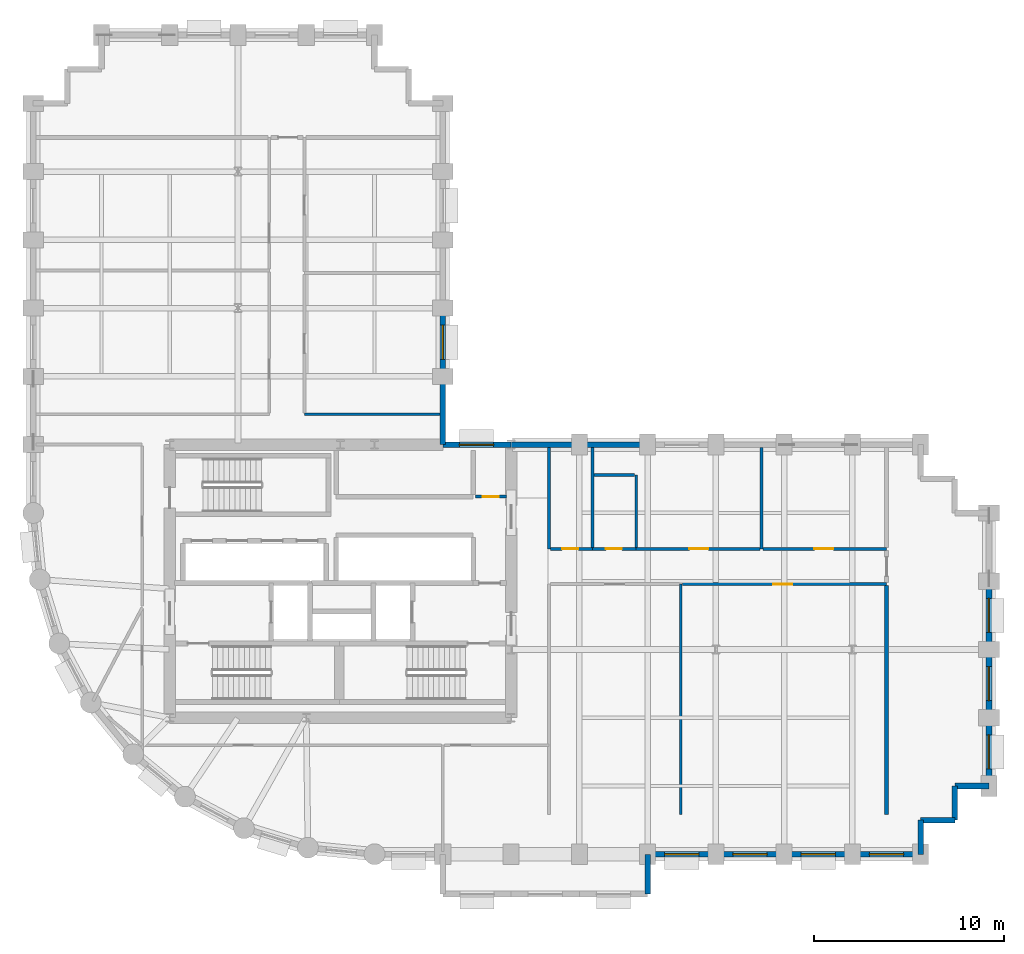
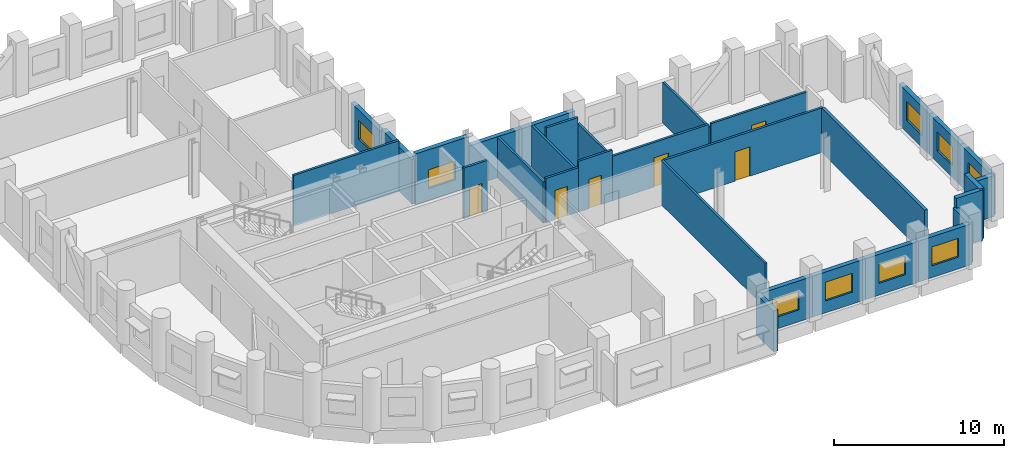
# One storey, part 5 of 10: 31 walls, 9 windows, 6 doors, 15 openings.
"""IFC4 building model written with IfcOpenShell, lengths in metres."""

import ifcopenshell
import ifcopenshell.guid

model = None  # the IFC model being written
_history = None  # IfcOwnerHistory: only IFC2X3 demands one
_inside = {}  # id of a spatial element -> (the spatial element, [elements in it])
_under = {}  # id of a project, library or spatial element -> (it, [spatial elements below it])
_declared = {}  # id of a project -> (the project, [libraries it declares])
_typed = {}  # id of a type object -> (the type object, [elements of that type])
_made_of = {}  # id of a material, layer set ... -> (it, [elements and type objects made of it])


def new_model(schema):
    """Start an empty IFC model of exactly this schema.

    Asked for "IFC4X3", IfcOpenShell would pick the latest addendum, in which some entities
    have other attributes; the version numbers below select the first issue.
    IFC2X3 requires an IfcOwnerHistory on every rooted entity: one is made here for all.
    """
    global model, _history
    if schema == "IFC4X3":
        model = ifcopenshell.file(schema_version=(4, 3, 0, 0))
    else:
        model = ifcopenshell.file(schema=schema)
    _inside.clear()
    _under.clear()
    _declared.clear()
    _typed.clear()
    _made_of.clear()
    _history = None
    if model.schema == "IFC2X3":
        org = make("IfcOrganization", Name="unknown")
        user = make(
            "IfcPersonAndOrganization",
            ThePerson=make("IfcPerson", FamilyName="unknown"),
            TheOrganization=org,
        )
        app = make(
            "IfcApplication",
            ApplicationDeveloper=org,
            Version="unknown",
            ApplicationFullName="unknown",
            ApplicationIdentifier="unknown",
        )
        _history = make(
            "IfcOwnerHistory",
            OwningUser=user,
            OwningApplication=app,
            ChangeAction="ADDED",
            CreationDate=0,
        )
    return model


def make(cls, **values):
    """One entity of the class cls with the attributes given. An attribute that is None is left unset."""
    return model.create_entity(
        cls, **{name: value for name, value in values.items() if value is not None}
    )


def rooted(cls, **values):
    """An entity with a GlobalId (a new one), such as an element, a storey or a relation."""
    return make(cls, GlobalId=ifcopenshell.guid.new(), OwnerHistory=_history, **values)


def si_unit(unit_type, name, prefix=None):
    """IfcSIUnit, for example si_unit("LENGTHUNIT", "METRE", prefix="MILLI")."""
    return make("IfcSIUnit", UnitType=unit_type, Prefix=prefix, Name=name)


def assignment(units):
    """IfcUnitAssignment: the units of a project."""
    return None if units is None else make("IfcUnitAssignment", Units=units)


def point(xyz):
    """IfcCartesianPoint."""
    return None if xyz is None else make("IfcCartesianPoint", Coordinates=xyz)


def direction(xyz):
    """IfcDirection."""
    return None if xyz is None else make("IfcDirection", DirectionRatios=xyz)


def frame(location, z_axis=None, x_axis=None):
    """IfcAxis2Placement3D, a coordinate frame: its origin and axes. An axis left out is left unset."""
    return make(
        "IfcAxis2Placement3D",
        Location=point(location),
        Axis=direction(z_axis),
        RefDirection=direction(x_axis),
    )


def frame_2d(location, x_axis=None):
    """IfcAxis2Placement2D, a coordinate frame in the plane: its origin and x axis."""
    return make(
        "IfcAxis2Placement2D", Location=point(location), RefDirection=direction(x_axis)
    )


def origin():
    """The frame at (0, 0, 0) with its axes left unset."""
    return frame((0.0, 0.0, 0.0))


def place(relative_to, where):
    """IfcLocalPlacement: puts the frame where relative to a parent placement (None: the world)."""
    return make(
        "IfcLocalPlacement", PlacementRelTo=relative_to, RelativePlacement=where
    )


def context(
    kind, dimensions, precision=None, world=None, true_north=None, identifier=None
):
    """IfcGeometricRepresentationContext, for example the 3D "Model" context."""
    return make(
        "IfcGeometricRepresentationContext",
        ContextIdentifier=identifier,
        ContextType=kind,
        CoordinateSpaceDimension=dimensions,
        Precision=precision,
        WorldCoordinateSystem=world,
        TrueNorth=true_north,
    )


def subcontext(parent, identifier, kind, view, scale=None):
    """IfcGeometricRepresentationSubContext, for example "Body" below "Model"."""
    return make(
        "IfcGeometricRepresentationSubContext",
        ContextIdentifier=identifier,
        ContextType=kind,
        ParentContext=parent,
        TargetScale=scale,
        TargetView=view,
    )


def project(units=None, contexts=None):
    """IfcProject with its units and contexts."""
    return rooted(
        "IfcProject",
        Name="project",
        RepresentationContexts=contexts,
        UnitsInContext=assignment(units),
    )


def spatial(cls, under=None, at=None, **own):
    """A site, building, storey or space (cls), placed at a placement, below another one or the project."""
    s = rooted(cls, ObjectPlacement=at, **own)
    if under is not None:
        _under.setdefault(under.id(), (under, []))[1].append(s)
    return s


def profile(cls, at=None, kind="AREA", **sizes):
    """A parametric profile (cls). Its sizes go by their IFC names, for example OverallWidth=200.0."""
    return make(cls, ProfileType=kind, Position=at, **sizes)


def rectangle(**sizes):
    """IfcRectangleProfileDef."""
    return profile("IfcRectangleProfileDef", **sizes)


def extrude(swept, where, along, depth):
    """IfcExtrudedAreaSolid: the profile swept, set in the frame where, extruded along a direction by depth."""
    return make(
        "IfcExtrudedAreaSolid",
        SweptArea=swept,
        Position=where,
        ExtrudedDirection=direction(along),
        Depth=depth,
    )


def shape(context_of_items, identifier, shape_type, items):
    """IfcShapeRepresentation: the items that make up one representation, for example the "Body"."""
    return make(
        "IfcShapeRepresentation",
        ContextOfItems=context_of_items,
        RepresentationIdentifier=identifier,
        RepresentationType=shape_type,
        Items=items,
    )


def material(Name=None, Category=None):
    """IfcMaterial."""
    return make("IfcMaterial", Name=Name, Category=Category)


def layer(
    of_material, thickness, ventilated=None, Name=None, Category=None, Priority=None
):
    """IfcMaterialLayer: one layer of a wall or slab, of a material (None: an air gap)."""
    return make(
        "IfcMaterialLayer",
        Material=of_material,
        LayerThickness=thickness,
        IsVentilated=ventilated,
        Name=Name,
        Category=Category,
        Priority=Priority,
    )


def layer_set(layers, Name=None):
    """IfcMaterialLayerSet."""
    return make("IfcMaterialLayerSet", MaterialLayers=layers, LayerSetName=Name)


def made_of(thing, what):
    """Note that an element or type object is made of a material, layer set ...; save() writes the relation."""
    if what is not None:
        _made_of.setdefault(what.id(), (what, []))[1].append(thing)
    return thing


def type_object(cls, material=None, **own):
    """A type object (cls), such as IfcWallType, which elements share."""
    return made_of(rooted(cls, **own), material)


def element(
    cls,
    number,
    at=None,
    inside=None,
    cuts=None,
    type_object=None,
    material=None,
    context=None,
    identifier="Body",
    shape_type=None,
    held_by="IfcProductDefinitionShape",
    body=None,
    shapes=None,
    **own,
):
    """One element of the class cls, such as IfcWall. Its Tag is "e" and its number.

    at: its placement. inside: the storey or other place that contains it. cuts: it is an
    opening in that element (IfcRelVoidsElement). A single representation is given by context,
    identifier, shape_type and body (its items); several are given by shapes. held_by: the class
    of the entity that holds the representations. save() writes the other relations.
    """
    e = rooted(cls, Tag="e%d" % number, ObjectPlacement=at, **own)
    if body is not None:
        shapes = [shape(context, identifier, shape_type, body)]
    if shapes is not None:
        e.Representation = make(held_by, Representations=shapes)
    if inside is not None:
        _inside.setdefault(inside.id(), (inside, []))[1].append(e)
    if cuts is not None:
        rooted(
            "IfcRelVoidsElement", RelatingBuildingElement=cuts, RelatedOpeningElement=e
        )
    if type_object is not None:
        _typed.setdefault(type_object.id(), (type_object, []))[1].append(e)
    return made_of(e, material)


def fill(opening, filler):
    """IfcRelFillsElement: the door or window that sits in an opening."""
    return rooted(
        "IfcRelFillsElement",
        RelatingOpeningElement=opening,
        RelatedBuildingElement=filler,
    )


def aggregate(whole, parts):
    """IfcRelAggregates: a whole, such as a stair, and the parts it consists of."""
    return rooted("IfcRelAggregates", RelatingObject=whole, RelatedObjects=parts)


def save(model, path):
    """Write the relations noted so far, then the file.

    IfcRelAggregates (storeys below a building ...), IfcRelContainedInSpatialStructure (elements
    in a storey), IfcRelDefinesByType, IfcRelAssociatesMaterial and IfcRelDeclares: one each for
    every whole, place, type object, material and project.
    """
    for whole, parts in _under.values():
        aggregate(whole, parts)
    for where, things in _inside.values():
        rooted(
            "IfcRelContainedInSpatialStructure",
            RelatedElements=things,
            RelatingStructure=where,
        )
    for kind, things in _typed.values():
        rooted("IfcRelDefinesByType", RelatedObjects=things, RelatingType=kind)
    for what, things in _made_of.values():
        rooted("IfcRelAssociatesMaterial", RelatedObjects=things, RelatingMaterial=what)
    for by, libraries in _declared.values():
        rooted("IfcRelDeclares", RelatingContext=by, RelatedDefinitions=libraries)
    model.write(path)


model = new_model("IFC4")

# Units and contexts
model_context = context("Model", 3, precision=1e-05, world=origin(), true_north=direction((0.0, 1.0)))
body_context = subcontext(model_context, "Body", "Model", "MODEL_VIEW")
ifc_project = project(units=[si_unit("LENGTHUNIT", "METRE"), si_unit("AREAUNIT", "SQUARE_METRE"), si_unit("VOLUMEUNIT", "CUBIC_METRE"), si_unit("PLANEANGLEUNIT", "RADIAN"), si_unit("MASSUNIT", "GRAM", prefix="KILO")], contexts=[model_context])

# Site, building, storey
site_placement = place(None, origin())
site = spatial("IfcSite", under=ifc_project, at=site_placement, CompositionType="ELEMENT")
building_placement = place(site_placement, origin())
building = spatial("IfcBuilding", under=site, at=building_placement, Name="Solnavia Interchange Tower", CompositionType="ELEMENT")
storey_placement = place(building_placement, frame((0.0, 0.0, 95.699951171875)))
storey = spatial("IfcBuildingStorey", under=building, at=storey_placement, Name="L23", CompositionType="ELEMENT", Elevation=95.699951171875)

# Walls
ifc_material_1 = material(Name="Gypsum Acoustic Twin-Stud & Mineral Wool", Category="gypsum")
ifc_layer_1 = layer(ifc_material_1, 0.199951171875)
ifc_layer_set_1 = layer_set([ifc_layer_1], Name="Gypsum Acoustic Twin-Stud & Mineral Wool")
wall_type_1 = type_object("IfcWallType", Name="Wall-ApartmentParty-200", PredefinedType="PARTITIONING", material=ifc_layer_set_1)
wall_1_placement = place(storey_placement, frame((52.199951171875, 5.699951171875, 0.0), z_axis=(0.0, 0.0, 1.0), x_axis=(0.0, 1.0, 0.0)))
element("IfcWall", 1, at=wall_1_placement, inside=storey, type_object=wall_type_1, Name="PTW-L23-22 Interior partition wall", PredefinedType="PARTITIONING", context=body_context, shape_type="SweptSolid", body=[
    extrude(rectangle(XDim=12.071044921875, YDim=0.199951171875, at=frame_2d((6.03564453125, 0.0))), origin(), (0.0, 0.0, 1.0), 3.179931640625),
])
ifc_material_2 = material(Name="Concrete C40/50", Category="concrete")
ifc_layer_2 = layer(ifc_material_2, 0.300048828125)
ifc_layer_set_2 = layer_set([ifc_layer_2], Name="Concrete C40/50")
wall_type_2 = type_object("IfcWallType", Name="Wall-ExtSpandrel-300", PredefinedType="STANDARD", material=ifc_layer_set_2)
wall_2_placement = place(storey_placement, frame((39.60009765625, 3.60009765625, 0.0), z_axis=(0.0, 0.0, 1.0), x_axis=(0.0, -1.0, 0.0)))
element("IfcWall", 2, at=wall_2_placement, inside=storey, type_object=wall_type_2, Name="EXW-L23-06 Exterior precast spandrel wall", PredefinedType="STANDARD", context=body_context, shape_type="SweptSolid", body=[
    extrude(rectangle(XDim=2.10009765625, YDim=0.300048828125, at=frame_2d((1.050048828125, 0.0))), origin(), (0.0, 0.0, 1.0), 2.929931640625),
])

# Wall, opening, window
wall_3_placement = place(storey_placement, frame((43.199951171875, 3.60009765625, 0.0), z_axis=(0.0, 0.0, 1.0), x_axis=(-1.0, 0.0, 0.0)))
wall_3 = element("IfcWall", 3, at=wall_3_placement, inside=storey, type_object=wall_type_2, Name="EXW-L23-07 Exterior precast spandrel wall", PredefinedType="STANDARD", context=body_context, shape_type="SweptSolid", body=[
    extrude(rectangle(XDim=3.599853515625, YDim=0.300048828125, at=frame_2d((1.7998046875, 0.0))), origin(), (0.0, 0.0, 1.0), 2.929931640625),
])
opening_1_placement = place(wall_3_placement, frame((0.89990234375, 0.0, 0.85009765625)))
opening_1 = element("IfcOpeningElement", 4, at=opening_1_placement, cuts=wall_3, Name="Opening WIN-02", PredefinedType="OPENING", context=body_context, shape_type="SweptSolid", body=[
    extrude(rectangle(XDim=1.800048828125, YDim=1.35009765625, at=frame_2d((0.89990234375, 0.675048828125))), frame((0.0, 0.16015625, 0.0), z_axis=(0.0, -1.0, 0.0), x_axis=(1.0, 0.0, 0.0)), (0.0, 0.0, 1.0), 0.320068359375),
])
ifc_material_3 = material(Name="Thermal-Break Aluminium & Low-E Glass", Category="aluminium")
window_type = type_object("IfcWindowType", Name="Window-Ribbon-1800x1350", PartitioningType="SINGLE_PANEL", PredefinedType="WINDOW", material=ifc_material_3)
window_1_placement = place(opening_1_placement, origin())
window_1 = element("IfcWindow", 5, at=window_1_placement, inside=storey, type_object=window_type, Name="WIN-L23-07 Facade ribbon window", OverallHeight=1.35009765625, OverallWidth=1.800048828125, PartitioningType="SINGLE_PANEL", PredefinedType="WINDOW", context=body_context, shape_type="SweptSolid", body=[
    extrude(rectangle(XDim=1.800048828125, YDim=1.35009765625, at=frame_2d((0.89990234375, 0.675048828125))), frame((0.0, 0.030029296875, 0.0), z_axis=(0.0, -1.0, 0.0), x_axis=(1.0, 0.0, 0.0)), (0.0, 0.0, 1.0), 0.06005859375),
])
fill(opening_1, window_1)

wall_4_placement = place(storey_placement, frame((46.800048828125, 3.60009765625, 0.0), z_axis=(0.0, 0.0, 1.0), x_axis=(-1.0, 0.0, 0.0)))
wall_4 = element("IfcWall", 6, at=wall_4_placement, inside=storey, type_object=wall_type_2, Name="EXW-L23-08 Exterior precast spandrel wall", PredefinedType="STANDARD", context=body_context, shape_type="SweptSolid", body=[
    extrude(rectangle(XDim=3.60009765625, YDim=0.300048828125, at=frame_2d((1.800048828125, 0.0))), origin(), (0.0, 0.0, 1.0), 2.929931640625),
])
opening_2_placement = place(wall_4_placement, frame((0.89990234375, 0.0, 0.85009765625)))
opening_2 = element("IfcOpeningElement", 7, at=opening_2_placement, cuts=wall_4, Name="Opening WIN-02", PredefinedType="OPENING", context=body_context, shape_type="SweptSolid", body=[
    extrude(rectangle(XDim=1.800048828125, YDim=1.35009765625, at=frame_2d((0.89990234375, 0.675048828125))), frame((0.0, 0.16015625, 0.0), z_axis=(0.0, -1.0, 0.0), x_axis=(1.0, 0.0, 0.0)), (0.0, 0.0, 1.0), 0.320068359375),
])
window_2_placement = place(opening_2_placement, origin())
window_2 = element("IfcWindow", 8, at=window_2_placement, inside=storey, type_object=window_type, Name="WIN-L23-08 Facade ribbon window", OverallHeight=1.35009765625, OverallWidth=1.800048828125, PartitioningType="SINGLE_PANEL", PredefinedType="WINDOW", context=body_context, shape_type="SweptSolid", body=[
    extrude(rectangle(XDim=1.800048828125, YDim=1.35009765625, at=frame_2d((0.89990234375, 0.675048828125))), frame((0.0, 0.030029296875, 0.0), z_axis=(0.0, -1.0, 0.0), x_axis=(1.0, 0.0, 0.0)), (0.0, 0.0, 1.0), 0.06005859375),
])
fill(opening_2, window_2)

wall_5_placement = place(storey_placement, frame((50.39990234375, 3.60009765625, 0.0), z_axis=(0.0, 0.0, 1.0), x_axis=(-1.0, 0.0, 0.0)))
wall_5 = element("IfcWall", 9, at=wall_5_placement, inside=storey, type_object=wall_type_2, Name="EXW-L23-09 Exterior precast spandrel wall", PredefinedType="STANDARD", context=body_context, shape_type="SweptSolid", body=[
    extrude(rectangle(XDim=3.599853515625, YDim=0.300048828125, at=frame_2d((1.7998046875, 0.0))), origin(), (0.0, 0.0, 1.0), 2.929931640625),
])
opening_3_placement = place(wall_5_placement, frame((0.89990234375, 0.0, 0.85009765625)))
opening_3 = element("IfcOpeningElement", 10, at=opening_3_placement, cuts=wall_5, Name="Opening WIN-02", PredefinedType="OPENING", context=body_context, shape_type="SweptSolid", body=[
    extrude(rectangle(XDim=1.800048828125, YDim=1.35009765625, at=frame_2d((0.89990234375, 0.675048828125))), frame((0.0, 0.16015625, 0.0), z_axis=(0.0, -1.0, 0.0), x_axis=(1.0, 0.0, 0.0)), (0.0, 0.0, 1.0), 0.320068359375),
])
window_3_placement = place(opening_3_placement, origin())
window_3 = element("IfcWindow", 11, at=window_3_placement, inside=storey, type_object=window_type, Name="WIN-L23-09 Facade ribbon window", OverallHeight=1.35009765625, OverallWidth=1.800048828125, PartitioningType="SINGLE_PANEL", PredefinedType="WINDOW", context=body_context, shape_type="SweptSolid", body=[
    extrude(rectangle(XDim=1.800048828125, YDim=1.35009765625, at=frame_2d((0.89990234375, 0.675048828125))), frame((0.0, 0.030029296875, 0.0), z_axis=(0.0, -1.0, 0.0), x_axis=(1.0, 0.0, 0.0)), (0.0, 0.0, 1.0), 0.06005859375),
])
fill(opening_3, window_3)

wall_6_placement = place(storey_placement, frame((54.0, 3.60009765625, 0.0), z_axis=(0.0, 0.0, 1.0), x_axis=(-1.0, 0.0, 0.0)))
wall_6 = element("IfcWall", 12, at=wall_6_placement, inside=storey, type_object=wall_type_2, Name="EXW-L23-10 Exterior precast spandrel wall", PredefinedType="STANDARD", context=body_context, shape_type="SweptSolid", body=[
    extrude(rectangle(XDim=3.60009765625, YDim=0.300048828125, at=frame_2d((1.800048828125, 0.0))), origin(), (0.0, 0.0, 1.0), 2.929931640625),
])
opening_4_placement = place(wall_6_placement, frame((0.89990234375, 0.0, 0.85009765625)))
opening_4 = element("IfcOpeningElement", 13, at=opening_4_placement, cuts=wall_6, Name="Opening WIN-02", PredefinedType="OPENING", context=body_context, shape_type="SweptSolid", body=[
    extrude(rectangle(XDim=1.800048828125, YDim=1.35009765625, at=frame_2d((0.89990234375, 0.675048828125))), frame((0.0, 0.16015625, 0.0), z_axis=(0.0, -1.0, 0.0), x_axis=(1.0, 0.0, 0.0)), (0.0, 0.0, 1.0), 0.320068359375),
])
window_4_placement = place(opening_4_placement, origin())
window_4 = element("IfcWindow", 14, at=window_4_placement, inside=storey, type_object=window_type, Name="WIN-L23-10 Facade ribbon window", OverallHeight=1.35009765625, OverallWidth=1.800048828125, PartitioningType="SINGLE_PANEL", PredefinedType="WINDOW", context=body_context, shape_type="SweptSolid", body=[
    extrude(rectangle(XDim=1.800048828125, YDim=1.35009765625, at=frame_2d((0.89990234375, 0.675048828125))), frame((0.0, 0.030029296875, 0.0), z_axis=(0.0, -1.0, 0.0), x_axis=(1.0, 0.0, 0.0)), (0.0, 0.0, 1.0), 0.06005859375),
])
fill(opening_4, window_4)

# Walls
wall_7_placement = place(storey_placement, frame((54.0, 5.39990234375, 0.0), z_axis=(0.0, 0.0, 1.0), x_axis=(0.0, -1.0, 0.0)))
element("IfcWall", 15, at=wall_7_placement, inside=storey, type_object=wall_type_2, Name="EXW-L23-11 Exterior precast spandrel wall", PredefinedType="STANDARD", context=body_context, shape_type="SweptSolid", body=[
    extrude(rectangle(XDim=1.7998046875, YDim=0.300048828125, at=frame_2d((0.89990234375, 0.0))), origin(), (0.0, 0.0, 1.0), 2.929931640625),
])
for number, where, z_axis, x_axis, name in (
    (16, (55.800048828125, 5.39990234375, 0.0), (0.0, 0.0, 1.0), (-1.0, 0.0, 0.0), "EXW-L23-12 Exterior precast spandrel wall"),
    (17, (55.800048828125, 7.199951171875, 0.0), (0.0, 0.0, 1.0), (0.0, -1.0, 0.0), "EXW-L23-13 Exterior precast spandrel wall"),
):
    element("IfcWall", number, at=place(storey_placement, frame(where, z_axis=z_axis, x_axis=x_axis)), inside=storey, type_object=wall_type_2, Name=name, PredefinedType="STANDARD", context=body_context, shape_type="SweptSolid", body=[
        extrude(rectangle(XDim=1.800048828125, YDim=0.300048828125, at=frame_2d((0.89990234375, 0.0))), origin(), (0.0, 0.0, 1.0), 3.635009765625),
    ])
wall_8_placement = place(storey_placement, frame((57.60009765625, 7.199951171875, 0.0), z_axis=(0.0, 0.0, 1.0), x_axis=(-1.0, 0.0, 0.0)))
element("IfcWall", 18, at=wall_8_placement, inside=storey, type_object=wall_type_2, Name="EXW-L23-14 Exterior precast spandrel wall", PredefinedType="STANDARD", context=body_context, shape_type="SweptSolid", body=[
    extrude(rectangle(XDim=1.800048828125, YDim=0.300048828125, at=frame_2d((0.89990234375, 0.0))), origin(), (0.0, 0.0, 1.0), 2.929931640625),
])

# Wall, opening, window
wall_9_placement = place(storey_placement, frame((57.60009765625, 10.800048828125, 0.0), z_axis=(0.0, 0.0, 1.0), x_axis=(0.0, -1.0, 0.0)))
wall_9 = element("IfcWall", 19, at=wall_9_placement, inside=storey, type_object=wall_type_2, Name="EXW-L23-15 Exterior precast spandrel wall", PredefinedType="STANDARD", context=body_context, shape_type="SweptSolid", body=[
    extrude(rectangle(XDim=3.60009765625, YDim=0.300048828125, at=frame_2d((1.800048828125, 0.0))), origin(), (0.0, 0.0, 1.0), 2.929931640625),
])
opening_5_placement = place(wall_9_placement, frame((0.89990234375, 0.0, 0.85009765625)))
opening_5 = element("IfcOpeningElement", 20, at=opening_5_placement, cuts=wall_9, Name="Opening WIN-02", PredefinedType="OPENING", context=body_context, shape_type="SweptSolid", body=[
    extrude(rectangle(XDim=1.800048828125, YDim=1.35009765625, at=frame_2d((0.89990234375, 0.675048828125))), frame((0.0, 0.16015625, 0.0), z_axis=(0.0, -1.0, 0.0), x_axis=(1.0, 0.0, 0.0)), (0.0, 0.0, 1.0), 0.320068359375),
])
window_5_placement = place(opening_5_placement, origin())
window_5 = element("IfcWindow", 21, at=window_5_placement, inside=storey, type_object=window_type, Name="WIN-L23-15 Facade ribbon window", OverallHeight=1.35009765625, OverallWidth=1.800048828125, PartitioningType="SINGLE_PANEL", PredefinedType="WINDOW", context=body_context, shape_type="SweptSolid", body=[
    extrude(rectangle(XDim=1.800048828125, YDim=1.35009765625, at=frame_2d((0.89990234375, 0.675048828125))), frame((0.0, 0.030029296875, 0.0), z_axis=(0.0, -1.0, 0.0), x_axis=(1.0, 0.0, 0.0)), (0.0, 0.0, 1.0), 0.06005859375),
])
fill(opening_5, window_5)

wall_10_placement = place(storey_placement, frame((57.60009765625, 14.39990234375, 0.0), z_axis=(0.0, 0.0, 1.0), x_axis=(0.0, -1.0, 0.0)))
wall_10 = element("IfcWall", 22, at=wall_10_placement, inside=storey, type_object=wall_type_2, Name="EXW-L23-16 Exterior precast spandrel wall", PredefinedType="STANDARD", context=body_context, shape_type="SweptSolid", body=[
    extrude(rectangle(XDim=3.599853515625, YDim=0.300048828125, at=frame_2d((1.7998046875, 0.0))), origin(), (0.0, 0.0, 1.0), 2.929931640625),
])
opening_6_placement = place(wall_10_placement, frame((0.89990234375, 0.0, 0.85009765625)))
opening_6 = element("IfcOpeningElement", 23, at=opening_6_placement, cuts=wall_10, Name="Opening WIN-02", PredefinedType="OPENING", context=body_context, shape_type="SweptSolid", body=[
    extrude(rectangle(XDim=1.800048828125, YDim=1.35009765625, at=frame_2d((0.89990234375, 0.675048828125))), frame((0.0, 0.16015625, 0.0), z_axis=(0.0, -1.0, 0.0), x_axis=(1.0, 0.0, 0.0)), (0.0, 0.0, 1.0), 0.320068359375),
])
window_6_placement = place(opening_6_placement, origin())
window_6 = element("IfcWindow", 24, at=window_6_placement, inside=storey, type_object=window_type, Name="WIN-L23-16 Facade ribbon window", OverallHeight=1.35009765625, OverallWidth=1.800048828125, PartitioningType="SINGLE_PANEL", PredefinedType="WINDOW", context=body_context, shape_type="SweptSolid", body=[
    extrude(rectangle(XDim=1.800048828125, YDim=1.35009765625, at=frame_2d((0.89990234375, 0.675048828125))), frame((0.0, 0.030029296875, 0.0), z_axis=(0.0, -1.0, 0.0), x_axis=(1.0, 0.0, 0.0)), (0.0, 0.0, 1.0), 0.06005859375),
])
fill(opening_6, window_6)

wall_11_placement = place(storey_placement, frame((57.60009765625, 18.0, 0.0), z_axis=(0.0, 0.0, 1.0), x_axis=(0.0, -1.0, 0.0)))
wall_11 = element("IfcWall", 25, at=wall_11_placement, inside=storey, type_object=wall_type_2, Name="EXW-L23-17 Exterior precast spandrel wall", PredefinedType="STANDARD", context=body_context, shape_type="SweptSolid", body=[
    extrude(rectangle(XDim=3.60009765625, YDim=0.300048828125, at=frame_2d((1.800048828125, 0.0))), origin(), (0.0, 0.0, 1.0), 2.929931640625),
])
opening_7_placement = place(wall_11_placement, frame((0.89990234375, 0.0, 0.85009765625)))
opening_7 = element("IfcOpeningElement", 26, at=opening_7_placement, cuts=wall_11, Name="Opening WIN-02", PredefinedType="OPENING", context=body_context, shape_type="SweptSolid", body=[
    extrude(rectangle(XDim=1.800048828125, YDim=1.35009765625, at=frame_2d((0.89990234375, 0.675048828125))), frame((0.0, 0.16015625, 0.0), z_axis=(0.0, -1.0, 0.0), x_axis=(1.0, 0.0, 0.0)), (0.0, 0.0, 1.0), 0.320068359375),
])
window_7_placement = place(opening_7_placement, origin())
window_7 = element("IfcWindow", 27, at=window_7_placement, inside=storey, type_object=window_type, Name="WIN-L23-17 Facade ribbon window", OverallHeight=1.35009765625, OverallWidth=1.800048828125, PartitioningType="SINGLE_PANEL", PredefinedType="WINDOW", context=body_context, shape_type="SweptSolid", body=[
    extrude(rectangle(XDim=1.800048828125, YDim=1.35009765625, at=frame_2d((0.89990234375, 0.675048828125))), frame((0.0, 0.030029296875, 0.0), z_axis=(0.0, -1.0, 0.0), x_axis=(1.0, 0.0, 0.0)), (0.0, 0.0, 1.0), 0.06005859375),
])
fill(opening_7, window_7)

# Walls
for number, where, z_axis, x_axis, name in (
    (28, (36.0, 25.199951171875, 0.0), (0.0, 0.0, 1.0), (1.0, 0.0, 0.0), "EXW-L23-27 Exterior precast spandrel wall"),
    (29, (32.39990234375, 25.199951171875, 0.0), (0.0, 0.0, 1.0), (1.0, 0.0, 0.0), "EXW-L23-28 Exterior precast spandrel wall"),
):
    element("IfcWall", number, at=place(storey_placement, frame(where, z_axis=z_axis, x_axis=x_axis)), inside=storey, type_object=wall_type_2, Name=name, PredefinedType="STANDARD", context=body_context, shape_type="SweptSolid", body=[
        extrude(rectangle(XDim=3.60009765625, YDim=0.300048828125, at=frame_2d((1.800048828125, 0.0))), origin(), (0.0, 0.0, 1.0), 2.929931640625),
    ])

# Wall, opening, window
wall_12_placement = place(storey_placement, frame((28.800048828125, 25.199951171875, 0.0), z_axis=(0.0, 0.0, 1.0), x_axis=(1.0, 0.0, 0.0)))
wall_12 = element("IfcWall", 30, at=wall_12_placement, inside=storey, type_object=wall_type_2, Name="EXW-L23-29 Exterior precast spandrel wall", PredefinedType="STANDARD", context=body_context, shape_type="SweptSolid", body=[
    extrude(rectangle(XDim=3.599853515625, YDim=0.300048828125, at=frame_2d((1.7998046875, 0.0))), origin(), (0.0, 0.0, 1.0), 3.635009765625),
])
opening_8_placement = place(wall_12_placement, frame((0.8779296875, 0.0, 0.85009765625)))
opening_8 = element("IfcOpeningElement", 31, at=opening_8_placement, cuts=wall_12, Name="Opening WIN-02", PredefinedType="OPENING", context=body_context, shape_type="SweptSolid", body=[
    extrude(rectangle(XDim=1.800048828125, YDim=1.35009765625, at=frame_2d((0.89990234375, 0.675048828125))), frame((0.0, 0.16015625, 0.0), z_axis=(0.0, -1.0, 0.0), x_axis=(1.0, 0.0, 0.0)), (0.0, 0.0, 1.0), 0.320068359375),
])
window_8_placement = place(opening_8_placement, origin())
window_8 = element("IfcWindow", 32, at=window_8_placement, inside=storey, type_object=window_type, Name="WIN-L23-29 Facade ribbon window", OverallHeight=1.35009765625, OverallWidth=1.800048828125, PartitioningType="SINGLE_PANEL", PredefinedType="WINDOW", context=body_context, shape_type="SweptSolid", body=[
    extrude(rectangle(XDim=1.800048828125, YDim=1.35009765625, at=frame_2d((0.89990234375, 0.675048828125))), frame((0.0, 0.030029296875, 0.0), z_axis=(0.0, -1.0, 0.0), x_axis=(1.0, 0.0, 0.0)), (0.0, 0.0, 1.0), 0.06005859375),
])
fill(opening_8, window_8)

# Wall
wall_13_placement = place(storey_placement, frame((28.800048828125, 28.800048828125, 0.0), z_axis=(0.0, 0.0, 1.0), x_axis=(0.0, -1.0, 0.0)))
element("IfcWall", 33, at=wall_13_placement, inside=storey, type_object=wall_type_2, Name="EXW-L23-30 Exterior precast spandrel wall", PredefinedType="STANDARD", context=body_context, shape_type="SweptSolid", body=[
    extrude(rectangle(XDim=3.60009765625, YDim=0.300048828125, at=frame_2d((1.800048828125, 0.0))), origin(), (0.0, 0.0, 1.0), 3.18994140625),
])

# Wall, opening, window
wall_14_placement = place(storey_placement, frame((28.800048828125, 32.39990234375, 0.0), z_axis=(0.0, 0.0, 1.0), x_axis=(0.0, -1.0, 0.0)))
wall_14 = element("IfcWall", 34, at=wall_14_placement, inside=storey, type_object=wall_type_2, Name="EXW-L23-31 Exterior precast spandrel wall", PredefinedType="STANDARD", context=body_context, shape_type="SweptSolid", body=[
    extrude(rectangle(XDim=3.599853515625, YDim=0.300048828125, at=frame_2d((1.7998046875, 0.0))), origin(), (0.0, 0.0, 1.0), 2.929931640625),
])
opening_9_placement = place(wall_14_placement, frame((0.89990234375, 0.0, 0.85009765625)))
opening_9 = element("IfcOpeningElement", 35, at=opening_9_placement, cuts=wall_14, Name="Opening WIN-02", PredefinedType="OPENING", context=body_context, shape_type="SweptSolid", body=[
    extrude(rectangle(XDim=1.800048828125, YDim=1.35009765625, at=frame_2d((0.89990234375, 0.675048828125))), frame((0.0, 0.16015625, 0.0), z_axis=(0.0, -1.0, 0.0), x_axis=(1.0, 0.0, 0.0)), (0.0, 0.0, 1.0), 0.320068359375),
])
window_9_placement = place(opening_9_placement, origin())
window_9 = element("IfcWindow", 36, at=window_9_placement, inside=storey, type_object=window_type, Name="WIN-L23-31 Facade ribbon window", OverallHeight=1.35009765625, OverallWidth=1.800048828125, PartitioningType="SINGLE_PANEL", PredefinedType="WINDOW", context=body_context, shape_type="SweptSolid", body=[
    extrude(rectangle(XDim=1.800048828125, YDim=1.35009765625, at=frame_2d((0.89990234375, 0.675048828125))), frame((0.0, 0.030029296875, 0.0), z_axis=(0.0, -1.0, 0.0), x_axis=(1.0, 0.0, 0.0)), (0.0, 0.0, 1.0), 0.06005859375),
])
fill(opening_9, window_9)

# Wall, opening, door
ifc_material_4 = material(Name="Gypsum Plasterboard & Steel Stud", Category="steel")
ifc_layer_3 = layer(ifc_material_4, 0.14990234375)
ifc_layer_set_3 = layer_set([ifc_layer_3], Name="Gypsum Plasterboard & Steel Stud")
wall_type_3 = type_object("IfcWallType", Name="Wall-Partition-150", PredefinedType="PARTITIONING", material=ifc_layer_set_3)
wall_15_placement = place(storey_placement, frame((30.52001953125, 22.4599609375, 0.0), z_axis=(0.0, 0.0, 1.0), x_axis=(1.0, 0.0, 0.0)))
wall_15 = element("IfcWall", 37, at=wall_15_placement, inside=storey, type_object=wall_type_3, Name="CSW-L23-NE-S Core shaft wall", PredefinedType="PARTITIONING", context=body_context, shape_type="SweptSolid", body=[
    extrude(rectangle(XDim=1.6298828125, YDim=0.14990234375, at=frame_2d((0.81494140625, 0.0))), origin(), (0.0, 0.0, 1.0), 3.635009765625),
])
opening_10_placement = place(wall_15_placement, frame((0.3798828125, 0.0, 0.0)))
opening_10 = element("IfcOpeningElement", 38, at=opening_10_placement, cuts=wall_15, Name="Opening DR-10", PredefinedType="OPENING", context=body_context, shape_type="SweptSolid", body=[
    extrude(rectangle(XDim=0.85009765625, YDim=2.10009765625, at=frame_2d((0.425048828125, 1.050048828125))), frame((0.0, 0.0849609375, 0.0), z_axis=(0.0, -1.0, 0.0), x_axis=(1.0, 0.0, 0.0)), (0.0, 0.0, 1.0), 0.169921875),
])
ifc_material_5 = material(Name="Moisture-Resistant Timber Door", Category="wood")
door_type_1 = type_object("IfcDoorType", Name="Door-Bathroom-850x2100", OperationType="SINGLE_SWING_RIGHT", PredefinedType="DOOR", material=ifc_material_5)
door_1_placement = place(opening_10_placement, origin())
door_1 = element("IfcDoor", 39, at=door_1_placement, inside=storey, type_object=door_type_1, Name="DR-L23-CNE1 Core fire door", OperationType="SINGLE_SWING_RIGHT", OverallHeight=2.10009765625, OverallWidth=0.85009765625, PredefinedType="DOOR", context=body_context, shape_type="SweptSolid", body=[
    extrude(rectangle(XDim=0.85009765625, YDim=2.10009765625, at=frame_2d((0.425048828125, 1.050048828125))), frame((0.0, 0.02490234375, 0.0), z_axis=(0.0, -1.0, 0.0), x_axis=(1.0, 0.0, 0.0)), (0.0, 0.0, 1.0), 0.050048828125),
])
fill(opening_10, door_1)

# Wall
wall_16_placement = place(storey_placement, frame((41.35009765625, 5.699951171875, 0.0), z_axis=(0.0, 0.0, 1.0), x_axis=(0.0, 1.0, 0.0)))
element("IfcWall", 40, at=wall_16_placement, inside=storey, type_object=wall_type_3, Name="PTW-L23-16 Interior partition wall", PredefinedType="PARTITIONING", context=body_context, shape_type="SweptSolid", body=[
    extrude(rectangle(XDim=12.150146484375, YDim=0.14990234375, at=frame_2d((6.0751953125, 0.0))), origin(), (0.0, 0.0, 1.0), 3.179931640625),
])

# Wall, opening, door
wall_17_placement = place(storey_placement, frame((41.428955078125, 17.85009765625, 0.0), z_axis=(0.0, 0.0, 1.0), x_axis=(1.0, 0.0, 0.0)))
wall_17 = element("IfcWall", 41, at=wall_17_placement, inside=storey, type_object=wall_type_3, Name="PTW-L23-18 Interior partition wall", PredefinedType="PARTITIONING", context=body_context, shape_type="SweptSolid", body=[
    extrude(rectangle(XDim=10.77099609375, YDim=0.14990234375, at=frame_2d((5.385498046875, 0.0))), origin(), (0.0, 0.0, 1.0), 3.179931640625),
])
opening_11_placement = place(wall_17_placement, frame((4.805908203125, 0.0, 0.0)))
opening_11 = element("IfcOpeningElement", 42, at=opening_11_placement, cuts=wall_17, Name="Opening DR-07", PredefinedType="OPENING", context=body_context, shape_type="SweptSolid", body=[
    extrude(rectangle(XDim=1.0, YDim=2.10009765625, at=frame_2d((0.5, 1.050048828125))), frame((0.0, 0.0849609375, 0.0), z_axis=(0.0, -1.0, 0.0), x_axis=(1.0, 0.0, 0.0)), (0.0, 0.0, 1.0), 0.169921875),
])
ifc_material_6 = material(Name="Timber & Acoustic Glazed Office Door", Category="wood")
door_type_2 = type_object("IfcDoorType", Name="Door-Office-1000x2100", OperationType="SINGLE_SWING_RIGHT", PredefinedType="DOOR", material=ifc_material_6)
door_2_placement = place(opening_11_placement, origin())
door_2 = element("IfcDoor", 43, at=door_2_placement, inside=storey, type_object=door_type_2, Name="DR-L23-08 Interior room door", OperationType="SINGLE_SWING_RIGHT", OverallHeight=2.10009765625, OverallWidth=1.0, PredefinedType="DOOR", context=body_context, shape_type="SweptSolid", body=[
    extrude(rectangle(XDim=1.0, YDim=2.10009765625, at=frame_2d((0.5, 1.050048828125))), frame((0.0, 0.02490234375, 0.0), z_axis=(0.0, -1.0, 0.0), x_axis=(1.0, 0.0, 0.0)), (0.0, 0.0, 1.0), 0.050048828125),
])
fill(opening_11, door_2)

# Wall
wall_18_placement = place(storey_placement, frame((45.60009765625, 19.699951171875, 0.0), z_axis=(0.0, 0.0, 1.0), x_axis=(0.0, 1.0, 0.0)))
element("IfcWall", 44, at=wall_18_placement, inside=storey, type_object=wall_type_3, Name="PTW-L23-19 Interior partition wall", PredefinedType="PARTITIONING", context=body_context, shape_type="SweptSolid", body=[
    extrude(rectangle(XDim=5.345947265625, YDim=0.14990234375, at=frame_2d((2.6728515625, 0.0))), origin(), (0.0, 0.0, 1.0), 2.929931640625),
])

# Wall, opening, door
wall_19_placement = place(storey_placement, frame((39.0, 19.699951171875, 0.0), z_axis=(0.0, 0.0, 1.0), x_axis=(1.0, 0.0, 0.0)))
wall_19 = element("IfcWall", 45, at=wall_19_placement, inside=storey, type_object=wall_type_3, Name="PTW-L23-20 Interior partition wall", PredefinedType="PARTITIONING", context=body_context, shape_type="SweptSolid", body=[
    extrude(rectangle(XDim=6.52099609375, YDim=0.14990234375, at=frame_2d((3.260498046875, 0.0))), origin(), (0.0, 0.0, 1.0), 3.18994140625),
])
opening_12_placement = place(wall_19_placement, frame((2.800048828125, 0.0, 0.0)))
opening_12 = element("IfcOpeningElement", 46, at=opening_12_placement, cuts=wall_19, Name="Opening DR-07", PredefinedType="OPENING", context=body_context, shape_type="SweptSolid", body=[
    extrude(rectangle(XDim=1.0, YDim=2.10009765625, at=frame_2d((0.5, 1.050048828125))), frame((0.0, 0.0849609375, 0.0), z_axis=(0.0, -1.0, 0.0), x_axis=(1.0, 0.0, 0.0)), (0.0, 0.0, 1.0), 0.169921875),
])
door_3_placement = place(opening_12_placement, origin())
door_3 = element("IfcDoor", 47, at=door_3_placement, inside=storey, type_object=door_type_2, Name="DR-L23-09 Interior room door", OperationType="SINGLE_SWING_RIGHT", OverallHeight=2.10009765625, OverallWidth=1.0, PredefinedType="DOOR", context=body_context, shape_type="SweptSolid", body=[
    extrude(rectangle(XDim=1.0, YDim=2.10009765625, at=frame_2d((0.5, 1.050048828125))), frame((0.0, 0.02490234375, 0.0), z_axis=(0.0, -1.0, 0.0), x_axis=(1.0, 0.0, 0.0)), (0.0, 0.0, 1.0), 0.050048828125),
])
fill(opening_12, door_3)

wall_20_placement = place(storey_placement, frame((45.678955078125, 19.699951171875, 0.0), z_axis=(0.0, 0.0, 1.0), x_axis=(1.0, 0.0, 0.0)))
wall_20 = element("IfcWall", 48, at=wall_20_placement, inside=storey, type_object=wall_type_3, Name="PTW-L23-21 Interior partition wall", PredefinedType="PARTITIONING", context=body_context, shape_type="SweptSolid", body=[
    extrude(rectangle(XDim=6.52099609375, YDim=0.14990234375, at=frame_2d((3.260498046875, 0.0))), origin(), (0.0, 0.0, 1.0), 3.18994140625),
])
opening_13_placement = place(wall_20_placement, frame((2.720947265625, 0.0, 0.0)))
opening_13 = element("IfcOpeningElement", 49, at=opening_13_placement, cuts=wall_20, Name="Opening DR-07", PredefinedType="OPENING", context=body_context, shape_type="SweptSolid", body=[
    extrude(rectangle(XDim=1.0, YDim=2.10009765625, at=frame_2d((0.5, 1.050048828125))), frame((0.0, 0.0849609375, 0.0), z_axis=(0.0, -1.0, 0.0), x_axis=(1.0, 0.0, 0.0)), (0.0, 0.0, 1.0), 0.169921875),
])
door_4_placement = place(opening_13_placement, origin())
door_4 = element("IfcDoor", 50, at=door_4_placement, inside=storey, type_object=door_type_2, Name="DR-L23-10 Interior room door", OperationType="SINGLE_SWING_RIGHT", OverallHeight=2.10009765625, OverallWidth=1.0, PredefinedType="DOOR", context=body_context, shape_type="SweptSolid", body=[
    extrude(rectangle(XDim=1.0, YDim=2.10009765625, at=frame_2d((0.5, 1.050048828125))), frame((0.0, 0.02490234375, 0.0), z_axis=(0.0, -1.0, 0.0), x_axis=(1.0, 0.0, 0.0)), (0.0, 0.0, 1.0), 0.050048828125),
])
fill(opening_13, door_4)

# Walls
wall_21_placement = place(storey_placement, frame((21.5, 26.800048828125, 0.0), z_axis=(0.0, 0.0, 1.0), x_axis=(1.0, 0.0, 0.0)))
element("IfcWall", 51, at=wall_21_placement, inside=storey, type_object=wall_type_3, Name="PTW-L23-29 Interior partition wall", PredefinedType="PARTITIONING", context=body_context, shape_type="SweptSolid", body=[
    extrude(rectangle(XDim=7.14599609375, YDim=0.14990234375, at=frame_2d((3.572998046875, 0.0))), origin(), (0.0, 0.0, 1.0), 3.635009765625),
])
ifc_material_7 = material(Name="Moisture-Resistant Gypsum & Steel Stud", Category="steel")
ifc_layer_4 = layer(ifc_material_7, 0.14990234375)
ifc_layer_set_4 = layer_set([ifc_layer_4], Name="Moisture-Resistant Gypsum & Steel Stud")
wall_type_4 = type_object("IfcWallType", Name="Wall-WetRoom-150", PredefinedType="PARTITIONING", material=ifc_layer_set_4)
wall_22_placement = place(storey_placement, frame((34.39990234375, 19.699951171875, 0.0), z_axis=(0.0, 0.0, 1.0), x_axis=(0.0, 1.0, 0.0)))
element("IfcWall", 52, at=wall_22_placement, inside=storey, type_object=wall_type_4, Name="PTW-L23-01 Interior partition wall", PredefinedType="PARTITIONING", context=body_context, shape_type="SweptSolid", body=[
    extrude(rectangle(XDim=5.345947265625, YDim=0.14990234375, at=frame_2d((2.6728515625, 0.0))), origin(), (0.0, 0.0, 1.0), 2.929931640625),
])

# Wall, opening, door
wall_23_placement = place(storey_placement, frame((34.47900390625, 19.699951171875, 0.0), z_axis=(0.0, 0.0, 1.0), x_axis=(1.0, 0.0, 0.0)))
wall_23 = element("IfcWall", 53, at=wall_23_placement, inside=storey, type_object=wall_type_4, Name="PTW-L23-02 Interior partition wall", PredefinedType="PARTITIONING", context=body_context, shape_type="SweptSolid", body=[
    extrude(rectangle(XDim=2.220947265625, YDim=0.14990234375, at=frame_2d((1.1103515625, 0.0))), origin(), (0.0, 0.0, 1.0), 3.179931640625),
])
opening_14_placement = place(wall_23_placement, frame((0.617919921875, 0.0, 0.0)))
opening_14 = element("IfcOpeningElement", 54, at=opening_14_placement, cuts=wall_23, Name="Opening DR-10", PredefinedType="OPENING", context=body_context, shape_type="SweptSolid", body=[
    extrude(rectangle(XDim=0.85009765625, YDim=2.10009765625, at=frame_2d((0.425048828125, 1.050048828125))), frame((0.0, 0.0849609375, 0.0), z_axis=(0.0, -1.0, 0.0), x_axis=(1.0, 0.0, 0.0)), (0.0, 0.0, 1.0), 0.169921875),
])
door_5_placement = place(opening_14_placement, origin())
door_5 = element("IfcDoor", 55, at=door_5_placement, inside=storey, type_object=door_type_1, Name="DR-L23-01 Interior room door", OperationType="SINGLE_SWING_LEFT", OverallHeight=2.10009765625, OverallWidth=0.85009765625, PredefinedType="DOOR", context=body_context, shape_type="SweptSolid", body=[
    extrude(rectangle(XDim=0.85009765625, YDim=2.10009765625, at=frame_2d((0.425048828125, 1.050048828125))), frame((0.0, 0.02490234375, 0.0), z_axis=(0.0, -1.0, 0.0), x_axis=(1.0, 0.0, 0.0)), (0.0, 0.0, 1.0), 0.050048828125),
])
fill(opening_14, door_5)

# Wall
wall_24_placement = place(storey_placement, frame((36.699951171875, 19.779052734375, 0.0), z_axis=(0.0, 0.0, 1.0), x_axis=(0.0, 1.0, 0.0)))
element("IfcWall", 56, at=wall_24_placement, inside=storey, type_object=wall_type_4, Name="PTW-L23-03 Interior partition wall", PredefinedType="PARTITIONING", context=body_context, shape_type="SweptSolid", body=[
    extrude(rectangle(XDim=5.266845703125, YDim=0.14990234375, at=frame_2d((2.63330078125, 0.0))), origin(), (0.0, 0.0, 1.0), 2.929931640625),
])

# Wall, opening, door
wall_25_placement = place(storey_placement, frame((36.699951171875, 19.699951171875, 0.0), z_axis=(0.0, 0.0, 1.0), x_axis=(1.0, 0.0, 0.0)))
wall_25 = element("IfcWall", 57, at=wall_25_placement, inside=storey, type_object=wall_type_4, Name="PTW-L23-04 Interior partition wall", PredefinedType="PARTITIONING", context=body_context, shape_type="SweptSolid", body=[
    extrude(rectangle(XDim=2.300048828125, YDim=0.14990234375, at=frame_2d((1.14990234375, 0.0))), origin(), (0.0, 0.0, 1.0), 3.635009765625),
])
opening_15_placement = place(wall_25_placement, frame((0.697021484375, 0.0, 0.0)))
opening_15 = element("IfcOpeningElement", 58, at=opening_15_placement, cuts=wall_25, Name="Opening DR-10", PredefinedType="OPENING", context=body_context, shape_type="SweptSolid", body=[
    extrude(rectangle(XDim=0.85009765625, YDim=2.10009765625, at=frame_2d((0.425048828125, 1.050048828125))), frame((0.0, 0.0849609375, 0.0), z_axis=(0.0, -1.0, 0.0), x_axis=(1.0, 0.0, 0.0)), (0.0, 0.0, 1.0), 0.169921875),
])
door_6_placement = place(opening_15_placement, origin())
door_6 = element("IfcDoor", 59, at=door_6_placement, inside=storey, type_object=door_type_1, Name="DR-L23-02 Interior room door", OperationType="SINGLE_SWING_RIGHT", OverallHeight=2.10009765625, OverallWidth=0.85009765625, PredefinedType="DOOR", context=body_context, shape_type="SweptSolid", body=[
    extrude(rectangle(XDim=0.85009765625, YDim=2.10009765625, at=frame_2d((0.425048828125, 1.050048828125))), frame((0.0, 0.02490234375, 0.0), z_axis=(0.0, -1.0, 0.0), x_axis=(1.0, 0.0, 0.0)), (0.0, 0.0, 1.0), 0.050048828125),
])
fill(opening_15, door_6)

# Walls
wall_26_placement = place(storey_placement, frame((39.0, 19.779052734375, 0.0), z_axis=(0.0, 0.0, 1.0), x_axis=(0.0, 1.0, 0.0)))
element("IfcWall", 60, at=wall_26_placement, inside=storey, type_object=wall_type_4, Name="PTW-L23-05 Interior partition wall", PredefinedType="PARTITIONING", context=body_context, shape_type="SweptSolid", body=[
    extrude(rectangle(XDim=3.821044921875, YDim=0.14990234375, at=frame_2d((1.91064453125, 0.0))), origin(), (0.0, 0.0, 1.0), 3.179931640625),
])
wall_27_placement = place(storey_placement, frame((36.779052734375, 23.60009765625, 0.0), z_axis=(0.0, 0.0, 1.0), x_axis=(1.0, 0.0, 0.0)))
element("IfcWall", 61, at=wall_27_placement, inside=storey, type_object=wall_type_4, Name="PTW-L23-06 Interior partition wall", PredefinedType="PARTITIONING", context=body_context, shape_type="SweptSolid", body=[
    extrude(rectangle(XDim=2.141845703125, YDim=0.14990234375, at=frame_2d((1.07080078125, 0.0))), origin(), (0.0, 0.0, 1.0), 3.635009765625),
])

save(model, "model.ifc")
